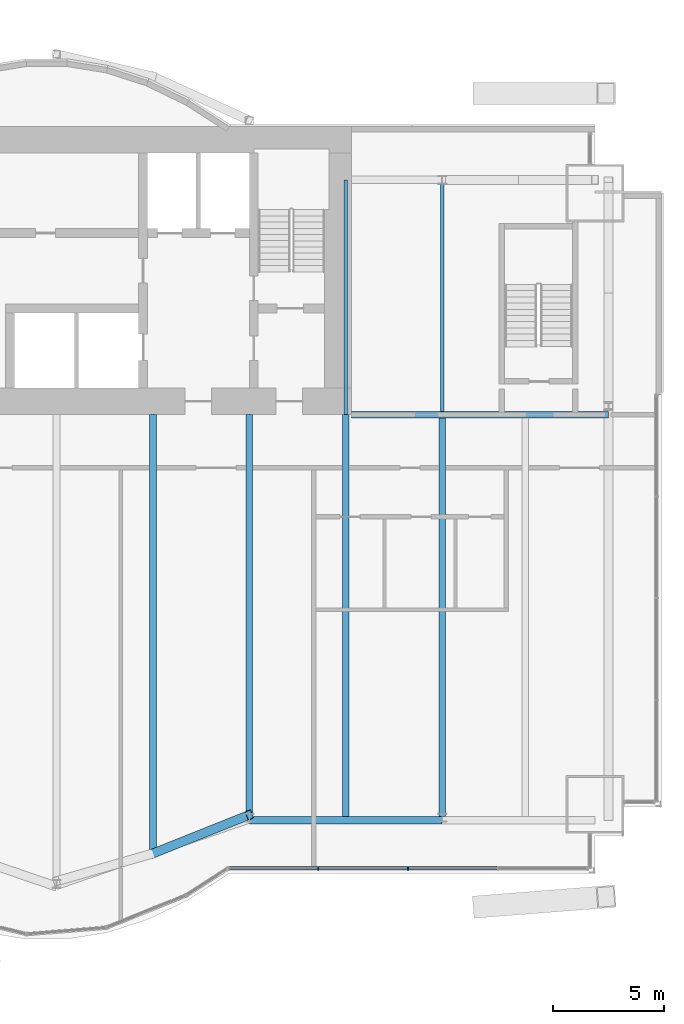
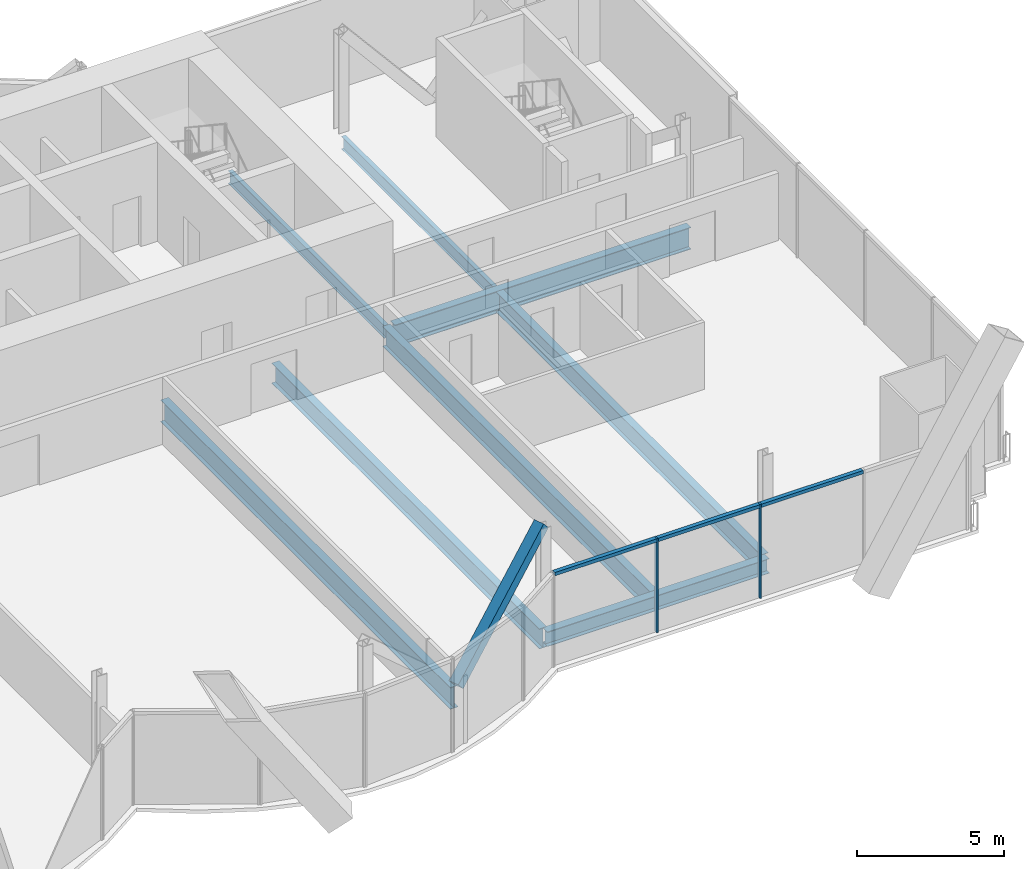
# One storey, part 9 of 21: 8 beams, 6 members, 1 element without a shape of its own.
"""IFC4 building model written with IfcOpenShell, lengths in metres."""

import ifcopenshell
import ifcopenshell.guid

model = None  # the IFC model being written
_history = None  # IfcOwnerHistory: only IFC2X3 demands one
_inside = {}  # id of a spatial element -> (the spatial element, [elements in it])
_under = {}  # id of a project, library or spatial element -> (it, [spatial elements below it])
_declared = {}  # id of a project -> (the project, [libraries it declares])
_typed = {}  # id of a type object -> (the type object, [elements of that type])
_made_of = {}  # id of a material, layer set ... -> (it, [elements and type objects made of it])


def new_model(schema):
    """Start an empty IFC model of exactly this schema.

    Asked for "IFC4X3", IfcOpenShell would pick the latest addendum, in which some entities
    have other attributes; the version numbers below select the first issue.
    IFC2X3 requires an IfcOwnerHistory on every rooted entity: one is made here for all.
    """
    global model, _history
    if schema == "IFC4X3":
        model = ifcopenshell.file(schema_version=(4, 3, 0, 0))
    else:
        model = ifcopenshell.file(schema=schema)
    _inside.clear()
    _under.clear()
    _declared.clear()
    _typed.clear()
    _made_of.clear()
    _history = None
    if model.schema == "IFC2X3":
        org = make("IfcOrganization", Name="unknown")
        user = make(
            "IfcPersonAndOrganization",
            ThePerson=make("IfcPerson", FamilyName="unknown"),
            TheOrganization=org,
        )
        app = make(
            "IfcApplication",
            ApplicationDeveloper=org,
            Version="unknown",
            ApplicationFullName="unknown",
            ApplicationIdentifier="unknown",
        )
        _history = make(
            "IfcOwnerHistory",
            OwningUser=user,
            OwningApplication=app,
            ChangeAction="ADDED",
            CreationDate=0,
        )
    return model


def make(cls, **values):
    """One entity of the class cls with the attributes given. An attribute that is None is left unset."""
    return model.create_entity(
        cls, **{name: value for name, value in values.items() if value is not None}
    )


def rooted(cls, **values):
    """An entity with a GlobalId (a new one), such as an element, a storey or a relation."""
    return make(cls, GlobalId=ifcopenshell.guid.new(), OwnerHistory=_history, **values)


def si_unit(unit_type, name, prefix=None):
    """IfcSIUnit, for example si_unit("LENGTHUNIT", "METRE", prefix="MILLI")."""
    return make("IfcSIUnit", UnitType=unit_type, Prefix=prefix, Name=name)


def assignment(units):
    """IfcUnitAssignment: the units of a project."""
    return None if units is None else make("IfcUnitAssignment", Units=units)


def point(xyz):
    """IfcCartesianPoint."""
    return None if xyz is None else make("IfcCartesianPoint", Coordinates=xyz)


def direction(xyz):
    """IfcDirection."""
    return None if xyz is None else make("IfcDirection", DirectionRatios=xyz)


def frame(location, z_axis=None, x_axis=None):
    """IfcAxis2Placement3D, a coordinate frame: its origin and axes. An axis left out is left unset."""
    return make(
        "IfcAxis2Placement3D",
        Location=point(location),
        Axis=direction(z_axis),
        RefDirection=direction(x_axis),
    )


def frame_2d(location, x_axis=None):
    """IfcAxis2Placement2D, a coordinate frame in the plane: its origin and x axis."""
    return make(
        "IfcAxis2Placement2D", Location=point(location), RefDirection=direction(x_axis)
    )


def origin():
    """The frame at (0, 0, 0) with its axes left unset."""
    return frame((0.0, 0.0, 0.0))


def origin_2d():
    """The frame at (0, 0) in the plane with its x axis left unset."""
    return frame_2d((0.0, 0.0))


def place(relative_to, where):
    """IfcLocalPlacement: puts the frame where relative to a parent placement (None: the world)."""
    return make(
        "IfcLocalPlacement", PlacementRelTo=relative_to, RelativePlacement=where
    )


def context(
    kind, dimensions, precision=None, world=None, true_north=None, identifier=None
):
    """IfcGeometricRepresentationContext, for example the 3D "Model" context."""
    return make(
        "IfcGeometricRepresentationContext",
        ContextIdentifier=identifier,
        ContextType=kind,
        CoordinateSpaceDimension=dimensions,
        Precision=precision,
        WorldCoordinateSystem=world,
        TrueNorth=true_north,
    )


def subcontext(parent, identifier, kind, view, scale=None):
    """IfcGeometricRepresentationSubContext, for example "Body" below "Model"."""
    return make(
        "IfcGeometricRepresentationSubContext",
        ContextIdentifier=identifier,
        ContextType=kind,
        ParentContext=parent,
        TargetScale=scale,
        TargetView=view,
    )


def project(units=None, contexts=None):
    """IfcProject with its units and contexts."""
    return rooted(
        "IfcProject",
        Name="project",
        RepresentationContexts=contexts,
        UnitsInContext=assignment(units),
    )


def spatial(cls, under=None, at=None, **own):
    """A site, building, storey or space (cls), placed at a placement, below another one or the project."""
    s = rooted(cls, ObjectPlacement=at, **own)
    if under is not None:
        _under.setdefault(under.id(), (under, []))[1].append(s)
    return s


def profile(cls, at=None, kind="AREA", **sizes):
    """A parametric profile (cls). Its sizes go by their IFC names, for example OverallWidth=200.0."""
    return make(cls, ProfileType=kind, Position=at, **sizes)


def rectangle(**sizes):
    """IfcRectangleProfileDef."""
    return profile("IfcRectangleProfileDef", **sizes)


def hollow_rectangle(**sizes):
    """IfcRectangleHollowProfileDef."""
    return profile("IfcRectangleHollowProfileDef", **sizes)


def i_section(**sizes):
    """IfcIShapeProfileDef."""
    return profile("IfcIShapeProfileDef", **sizes)


def extrude(swept, where, along, depth):
    """IfcExtrudedAreaSolid: the profile swept, set in the frame where, extruded along a direction by depth."""
    return make(
        "IfcExtrudedAreaSolid",
        SweptArea=swept,
        Position=where,
        ExtrudedDirection=direction(along),
        Depth=depth,
    )


def shape(context_of_items, identifier, shape_type, items):
    """IfcShapeRepresentation: the items that make up one representation, for example the "Body"."""
    return make(
        "IfcShapeRepresentation",
        ContextOfItems=context_of_items,
        RepresentationIdentifier=identifier,
        RepresentationType=shape_type,
        Items=items,
    )


def material(Name=None, Category=None):
    """IfcMaterial."""
    return make("IfcMaterial", Name=Name, Category=Category)


def material_profile(
    of_material, cross_section, Name=None, Category=None, Priority=None
):
    """IfcMaterialProfile: a cross section and its material."""
    return make(
        "IfcMaterialProfile",
        Name=Name,
        Material=of_material,
        Profile=cross_section,
        Priority=Priority,
        Category=Category,
    )


def profile_set(profiles, Name=None, composite=None):
    """IfcMaterialProfileSet."""
    return make(
        "IfcMaterialProfileSet",
        Name=Name,
        MaterialProfiles=profiles,
        CompositeProfile=composite,
    )


def made_of(thing, what):
    """Note that an element or type object is made of a material, layer set ...; save() writes the relation."""
    if what is not None:
        _made_of.setdefault(what.id(), (what, []))[1].append(thing)
    return thing


def type_object(cls, material=None, **own):
    """A type object (cls), such as IfcWallType, which elements share."""
    return made_of(rooted(cls, **own), material)


def element(
    cls,
    number,
    at=None,
    inside=None,
    cuts=None,
    type_object=None,
    material=None,
    context=None,
    identifier="Body",
    shape_type=None,
    held_by="IfcProductDefinitionShape",
    body=None,
    shapes=None,
    **own,
):
    """One element of the class cls, such as IfcWall. Its Tag is "e" and its number.

    at: its placement. inside: the storey or other place that contains it. cuts: it is an
    opening in that element (IfcRelVoidsElement). A single representation is given by context,
    identifier, shape_type and body (its items); several are given by shapes. held_by: the class
    of the entity that holds the representations. save() writes the other relations.
    """
    e = rooted(cls, Tag="e%d" % number, ObjectPlacement=at, **own)
    if body is not None:
        shapes = [shape(context, identifier, shape_type, body)]
    if shapes is not None:
        e.Representation = make(held_by, Representations=shapes)
    if inside is not None:
        _inside.setdefault(inside.id(), (inside, []))[1].append(e)
    if cuts is not None:
        rooted(
            "IfcRelVoidsElement", RelatingBuildingElement=cuts, RelatedOpeningElement=e
        )
    if type_object is not None:
        _typed.setdefault(type_object.id(), (type_object, []))[1].append(e)
    return made_of(e, material)


def aggregate(whole, parts):
    """IfcRelAggregates: a whole, such as a stair, and the parts it consists of."""
    return rooted("IfcRelAggregates", RelatingObject=whole, RelatedObjects=parts)


def save(model, path):
    """Write the relations noted so far, then the file.

    IfcRelAggregates (storeys below a building ...), IfcRelContainedInSpatialStructure (elements
    in a storey), IfcRelDefinesByType, IfcRelAssociatesMaterial and IfcRelDeclares: one each for
    every whole, place, type object, material and project.
    """
    for whole, parts in _under.values():
        aggregate(whole, parts)
    for where, things in _inside.values():
        rooted(
            "IfcRelContainedInSpatialStructure",
            RelatedElements=things,
            RelatingStructure=where,
        )
    for kind, things in _typed.values():
        rooted("IfcRelDefinesByType", RelatedObjects=things, RelatingType=kind)
    for what, things in _made_of.values():
        rooted("IfcRelAssociatesMaterial", RelatedObjects=things, RelatingMaterial=what)
    for by, libraries in _declared.values():
        rooted("IfcRelDeclares", RelatingContext=by, RelatedDefinitions=libraries)
    model.write(path)


model = new_model("IFC4")

# Units and contexts
model_context = context("Model", 3, precision=1e-05, world=origin(), true_north=direction((0.0, 1.0)))
body_context = subcontext(model_context, "Body", "Model", "MODEL_VIEW")
ifc_project = project(units=[si_unit("LENGTHUNIT", "METRE"), si_unit("AREAUNIT", "SQUARE_METRE"), si_unit("VOLUMEUNIT", "CUBIC_METRE"), si_unit("PLANEANGLEUNIT", "RADIAN"), si_unit("MASSUNIT", "GRAM", prefix="KILO")], contexts=[model_context])

# Site, building, storey
site_placement = place(None, origin())
site = spatial("IfcSite", under=ifc_project, at=site_placement, CompositionType="ELEMENT")
building_placement = place(site_placement, origin())
building = spatial("IfcBuilding", under=site, at=building_placement, Name="Bicima Exchange Tower", CompositionType="ELEMENT")
storey_placement = place(building_placement, frame((0.0, 0.0, 181.39990234375)))
storey = spatial("IfcBuildingStorey", under=building, at=storey_placement, Name="L40", CompositionType="ELEMENT", Elevation=181.39990234375)

# Beams
ifc_material_1 = material(Name="Steel ASTM A992 Gr 50", Category="steel")
ifc_material_profile_1 = material_profile(ifc_material_1, i_section(OverallWidth=0.3046875, OverallDepth=0.911865234375, WebThickness=0.015869140625, FlangeThickness=0.02392578125, at=origin_2d()))
ifc_profile_set_1 = profile_set([ifc_material_profile_1], Name="Steel ASTM A992 Gr 50")
beam_type_1 = type_object("IfcBeamType", Name="Core-line girder W36x150", PredefinedType="BEAM", material=ifc_profile_set_1)
beam_1_placement = place(storey_placement, frame((22.0, -13.0, -0.605712890625), z_axis=(1.0, 0.0, 0.0), x_axis=(0.0, 1.0, 0.0)))
element("IfcBeam", 1, at=beam_1_placement, inside=storey, type_object=beam_type_1, Name="Core-line girder", PredefinedType="BEAM", context=body_context, shape_type="SweptSolid", body=[
    extrude(i_section(OverallWidth=0.3046875, OverallDepth=0.911865234375, WebThickness=0.015869140625, FlangeThickness=0.02392578125, at=origin_2d()), origin(), (0.0, 0.0, 1.0), 11.60009765625),
])
ifc_material_profile_2 = material_profile(ifc_material_1, i_section(OverallWidth=0.165771484375, OverallDepth=0.5283203125, WebThickness=0.009765625, FlangeThickness=0.013671875, at=origin_2d()))
ifc_profile_set_2 = profile_set([ifc_material_profile_2], Name="Steel ASTM A992 Gr 50")
beam_type_2 = type_object("IfcBeamType", Name="Floor beam W21x50", PredefinedType="JOIST", material=ifc_profile_set_2)
beam_2_placement = place(storey_placement, frame((21.75, -2.39990234375, -0.4140625), z_axis=(0.0, -1.0, 0.0), x_axis=(1.0, 0.0, 0.0)))
element("IfcBeam", 2, at=beam_2_placement, inside=storey, type_object=beam_type_2, Name="Floor beam", PredefinedType="JOIST", context=body_context, shape_type="SweptSolid", body=[
    extrude(i_section(OverallWidth=0.165771484375, OverallDepth=0.5283203125, WebThickness=0.009765625, FlangeThickness=0.013671875, at=origin_2d()), origin(), (0.0, 0.0, 1.0), 10.60009765625),
])
beam_3_placement = place(storey_placement, frame((26.10009765625, -2.5625, -0.4140625), z_axis=(0.0, -1.0, 0.0), x_axis=(1.0, 0.0, 0.0)))
element("IfcBeam", 3, at=beam_3_placement, inside=storey, type_object=beam_type_2, Name="Floor beam", PredefinedType="JOIST", context=body_context, shape_type="SweptSolid", body=[
    extrude(i_section(OverallWidth=0.165771484375, OverallDepth=0.5283203125, WebThickness=0.009765625, FlangeThickness=0.013671875, at=origin_2d()), origin(), (0.0, 0.0, 1.0), 10.28515625),
])
ifc_material_profile_3 = material_profile(ifc_material_1, i_section(OverallWidth=0.2919921875, OverallDepth=0.835693359375, WebThickness=0.013916015625, FlangeThickness=0.018798828125, at=origin_2d()))
ifc_profile_set_3 = profile_set([ifc_material_profile_3], Name="Steel ASTM A992 Gr 50")
beam_type_3 = type_object("IfcBeamType", Name="Floor beam W33x118", PredefinedType="JOIST", material=ifc_profile_set_3)
beam_4_placement = place(storey_placement, frame((17.39990234375, -13.0, -0.567626953125), z_axis=(0.0, -1.0, 0.0), x_axis=(1.0, 0.0, 0.0)))
element("IfcBeam", 4, at=beam_4_placement, inside=storey, type_object=beam_type_3, Name="Floor beam", PredefinedType="JOIST", context=body_context, shape_type="SweptSolid", body=[
    extrude(i_section(OverallWidth=0.2919921875, OverallDepth=0.835693359375, WebThickness=0.013916015625, FlangeThickness=0.018798828125, at=origin_2d()), origin(), (0.0, 0.0, 1.0), 18.16845703125),
])
beam_5_placement = place(storey_placement, frame((21.75, -13.0, -0.567626953125), z_axis=(0.0, -1.0, 0.0), x_axis=(1.0, 0.0, 0.0)))
element("IfcBeam", 5, at=beam_5_placement, inside=storey, type_object=beam_type_3, Name="Floor beam", PredefinedType="JOIST", context=body_context, shape_type="SweptSolid", body=[
    extrude(i_section(OverallWidth=0.2919921875, OverallDepth=0.835693359375, WebThickness=0.013916015625, FlangeThickness=0.018798828125, at=origin_2d()), origin(), (0.0, 0.0, 1.0), 18.141357421875),
])
beam_6_placement = place(storey_placement, frame((26.10009765625, -13.15234375, -0.567626953125), z_axis=(0.0, -1.0, 0.0), x_axis=(1.0, 0.0, 0.0)))
element("IfcBeam", 6, at=beam_6_placement, inside=storey, type_object=beam_type_3, Name="Floor beam", PredefinedType="JOIST", context=body_context, shape_type="SweptSolid", body=[
    extrude(i_section(OverallWidth=0.2919921875, OverallDepth=0.835693359375, WebThickness=0.013916015625, FlangeThickness=0.018798828125, at=origin_2d()), origin(), (0.0, 0.0, 1.0), 17.989013671875),
])
ifc_material_profile_4 = material_profile(ifc_material_1, i_section(OverallWidth=0.3046875, OverallDepth=0.904296875, WebThickness=0.01513671875, FlangeThickness=0.02001953125, at=origin_2d()))
ifc_profile_set_4 = profile_set([ifc_material_profile_4], Name="Steel ASTM A992 Gr 50")
beam_type_4 = type_object("IfcBeamType", Name="Floor beam W36x135", PredefinedType="JOIST", material=ifc_profile_set_4)
beam_7_placement = place(storey_placement, frame((13.050048828125, -13.0, -0.60205078125), z_axis=(0.0, -1.0, 0.0), x_axis=(1.0, 0.0, 0.0)))
element("IfcBeam", 7, at=beam_7_placement, inside=storey, type_object=beam_type_4, Name="Floor beam", PredefinedType="JOIST", context=body_context, shape_type="SweptSolid", body=[
    extrude(i_section(OverallWidth=0.3046875, OverallDepth=0.904296875, WebThickness=0.01513671875, FlangeThickness=0.02001953125, at=origin_2d()), origin(), (0.0, 0.0, 1.0), 19.663818359375),
])
ifc_material_profile_5 = material_profile(ifc_material_1, i_section(OverallWidth=0.3251953125, OverallDepth=0.612060546875, WebThickness=0.0126953125, FlangeThickness=0.01904296875, at=origin_2d()))
ifc_profile_set_5 = profile_set([ifc_material_profile_5], Name="Steel ASTM A992 Gr 50")
beam_type_5 = type_object("IfcBeamType", Name="Front girder W24x104", PredefinedType="BEAM", material=ifc_profile_set_5)
beam_8_placement = place(storey_placement, frame((17.39990234375, -31.303955078125, -0.4560546875), z_axis=(1.0, 0.0, 0.0), x_axis=(0.0, 1.0, 0.0)))
element("IfcBeam", 8, at=beam_8_placement, inside=storey, type_object=beam_type_5, Name="Front girder", PredefinedType="BEAM", context=body_context, shape_type="SweptSolid", body=[
    extrude(i_section(OverallWidth=0.3251953125, OverallDepth=0.612060546875, WebThickness=0.0126953125, FlangeThickness=0.01904296875, at=origin_2d()), origin(), (0.0, 0.0, 1.0), 8.7001953125),
])

# Curtain wall, members
ifc_material_2 = material(Name="Anodised bronze aluminium", Category="aluminium")
curtain_wall_type = type_object("IfcCurtainWallType", Name="Front glass wall", PredefinedType="NOTDEFINED", material=ifc_material_2)
curtain_wall_placement = place(storey_placement, origin())
curtain_wall = element("IfcCurtainWall", 9, at=curtain_wall_placement, inside=storey, type_object=curtain_wall_type, Name="Front glass wall L40 run 16", PredefinedType="NOTDEFINED")
ifc_material_profile_6 = material_profile(ifc_material_2, rectangle(XDim=0.159912109375, YDim=0.06005859375, at=origin_2d()))
ifc_profile_set_6 = profile_set([ifc_material_profile_6], Name="Anodised bronze aluminium")
member_type_1 = type_object("IfcMemberType", Name="Front glass wall mullion 60 x 160", PredefinedType="MULLION", material=ifc_profile_set_6)
member_1_placement = place(storey_placement, frame((20.51171875, -33.47412109375, 0.0), z_axis=(0.0, 0.0, 1.0), x_axis=(0.0, 1.0, 0.0)))
member_1 = element("IfcMember", 10, at=member_1_placement, type_object=member_type_1, Name="Front glass wall mullion 2", PredefinedType="MULLION", context=body_context, shape_type="SweptSolid", body=[
    extrude(rectangle(XDim=0.159912109375, YDim=0.06005859375, at=origin_2d()), origin(), (0.0, 0.0, 1.0), 3.900146484375),
])
member_2_placement = place(storey_placement, frame((24.56103515625, -33.47412109375, 0.0), z_axis=(0.0, 0.0, 1.0), x_axis=(0.0, 1.0, 0.0)))
member_2 = element("IfcMember", 11, at=member_2_placement, type_object=member_type_1, Name="Front glass wall mullion 3", PredefinedType="MULLION", context=body_context, shape_type="SweptSolid", body=[
    extrude(rectangle(XDim=0.159912109375, YDim=0.06005859375, at=origin_2d()), origin(), (0.0, 0.0, 1.0), 3.900146484375),
])
ifc_material_profile_7 = material_profile(ifc_material_2, rectangle(XDim=0.159912109375, YDim=0.139892578125, at=origin_2d()))
ifc_profile_set_7 = profile_set([ifc_material_profile_7], Name="Anodised bronze aluminium")
member_type_2 = type_object("IfcMemberType", Name="Front glass wall transom 140 x 160", PredefinedType="USERDEFINED", material=ifc_profile_set_7)
member_3_placement = place(storey_placement, frame((16.4921875, -33.47412109375, 3.830078125), z_axis=(1.0, 0.0, 0.0), x_axis=(0.0, 1.0, 0.0)))
member_3 = element("IfcMember", 12, at=member_3_placement, type_object=member_type_2, Name="Front glass wall transom 1.1", ObjectType="TRANSOM", PredefinedType="USERDEFINED", context=body_context, shape_type="SweptSolid", body=[
    extrude(rectangle(XDim=0.159912109375, YDim=0.139892578125, at=origin_2d()), origin(), (0.0, 0.0, 1.0), 3.989501953125),
])
member_4_placement = place(storey_placement, frame((20.54150390625, -33.47412109375, 3.830078125), z_axis=(1.0, 0.0, 0.0), x_axis=(0.0, 1.0, 0.0)))
member_4 = element("IfcMember", 13, at=member_4_placement, type_object=member_type_2, Name="Front glass wall transom 2.1", ObjectType="TRANSOM", PredefinedType="USERDEFINED", context=body_context, shape_type="SweptSolid", body=[
    extrude(rectangle(XDim=0.159912109375, YDim=0.139892578125, at=origin_2d()), origin(), (0.0, 0.0, 1.0), 3.989501953125),
])
member_5_placement = place(storey_placement, frame((24.591064453125, -33.47412109375, 3.830078125), z_axis=(1.0, 0.0, 0.0), x_axis=(0.0, 1.0, 0.0)))
member_5 = element("IfcMember", 14, at=member_5_placement, type_object=member_type_2, Name="Front glass wall transom 3.1", ObjectType="TRANSOM", PredefinedType="USERDEFINED", context=body_context, shape_type="SweptSolid", body=[
    extrude(rectangle(XDim=0.159912109375, YDim=0.139892578125, at=origin_2d()), origin(), (0.0, 0.0, 1.0), 3.989501953125),
])
aggregate(curtain_wall, [member_1, member_2, member_3, member_4, member_5])

# Member
ifc_material_3 = material(Name="Steel ASTM A572 Gr 50", Category="steel")
ifc_material_profile_8 = material_profile(ifc_material_3, hollow_rectangle(XDim=0.406494140625, YDim=0.406494140625, WallThickness=0.017822265625, at=origin_2d()))
ifc_profile_set_8 = profile_set([ifc_material_profile_8], Name="Steel ASTM A572 Gr 50")
member_type_3 = type_object("IfcMemberType", Name="Mega brace HSS16x16x3/4", PredefinedType="BRACE", material=ifc_profile_set_8)
member_6_placement = place(storey_placement, frame((13.050048828125, -32.799560546875, 0.0), z_axis=(0.69870612412, 0.279411861388, 0.658588463179), x_axis=(-0.371309808925, 0.928509033772, 0.0)))
element("IfcMember", 15, at=member_6_placement, inside=storey, type_object=member_type_3, Name="Mega brace front", PredefinedType="BRACE", context=body_context, shape_type="SweptSolid", body=[
    extrude(hollow_rectangle(XDim=0.406494140625, YDim=0.406494140625, WallThickness=0.017822265625, at=origin_2d()), origin(), (0.0, 0.0, 1.0), 6.2255859375),
])

save(model, "model.ifc")
